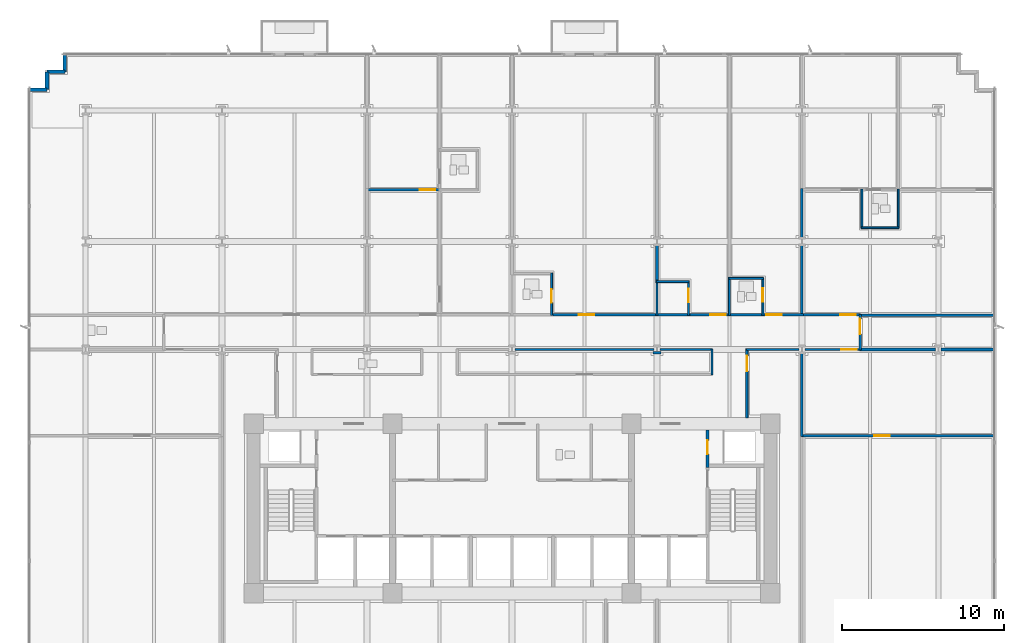
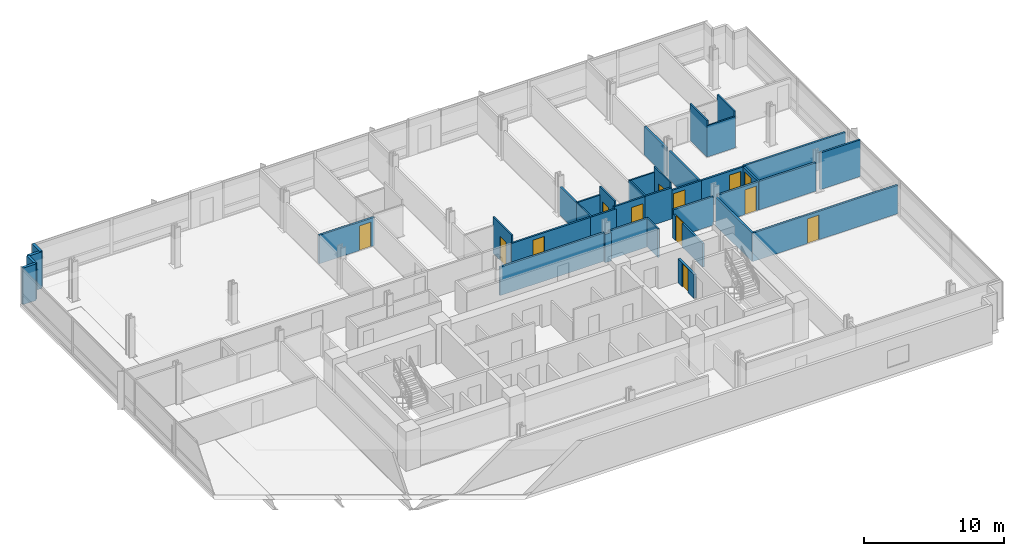
# One storey, part 10 of 17: 38 walls, 13 doors, 13 openings.
"""IFC4 building model written with IfcOpenShell, lengths in metres."""

import ifcopenshell
import ifcopenshell.guid

model = None  # the IFC model being written
_history = None  # IfcOwnerHistory: only IFC2X3 demands one
_inside = {}  # id of a spatial element -> (the spatial element, [elements in it])
_under = {}  # id of a project, library or spatial element -> (it, [spatial elements below it])
_declared = {}  # id of a project -> (the project, [libraries it declares])
_typed = {}  # id of a type object -> (the type object, [elements of that type])
_made_of = {}  # id of a material, layer set ... -> (it, [elements and type objects made of it])


def new_model(schema):
    """Start an empty IFC model of exactly this schema.

    Asked for "IFC4X3", IfcOpenShell would pick the latest addendum, in which some entities
    have other attributes; the version numbers below select the first issue.
    IFC2X3 requires an IfcOwnerHistory on every rooted entity: one is made here for all.
    """
    global model, _history
    if schema == "IFC4X3":
        model = ifcopenshell.file(schema_version=(4, 3, 0, 0))
    else:
        model = ifcopenshell.file(schema=schema)
    _inside.clear()
    _under.clear()
    _declared.clear()
    _typed.clear()
    _made_of.clear()
    _history = None
    if model.schema == "IFC2X3":
        org = make("IfcOrganization", Name="unknown")
        user = make(
            "IfcPersonAndOrganization",
            ThePerson=make("IfcPerson", FamilyName="unknown"),
            TheOrganization=org,
        )
        app = make(
            "IfcApplication",
            ApplicationDeveloper=org,
            Version="unknown",
            ApplicationFullName="unknown",
            ApplicationIdentifier="unknown",
        )
        _history = make(
            "IfcOwnerHistory",
            OwningUser=user,
            OwningApplication=app,
            ChangeAction="ADDED",
            CreationDate=0,
        )
    return model


def make(cls, **values):
    """One entity of the class cls with the attributes given. An attribute that is None is left unset."""
    return model.create_entity(
        cls, **{name: value for name, value in values.items() if value is not None}
    )


def rooted(cls, **values):
    """An entity with a GlobalId (a new one), such as an element, a storey or a relation."""
    return make(cls, GlobalId=ifcopenshell.guid.new(), OwnerHistory=_history, **values)


def si_unit(unit_type, name, prefix=None):
    """IfcSIUnit, for example si_unit("LENGTHUNIT", "METRE", prefix="MILLI")."""
    return make("IfcSIUnit", UnitType=unit_type, Prefix=prefix, Name=name)


def assignment(units):
    """IfcUnitAssignment: the units of a project."""
    return None if units is None else make("IfcUnitAssignment", Units=units)


def point(xyz):
    """IfcCartesianPoint."""
    return None if xyz is None else make("IfcCartesianPoint", Coordinates=xyz)


def direction(xyz):
    """IfcDirection."""
    return None if xyz is None else make("IfcDirection", DirectionRatios=xyz)


def frame(location, z_axis=None, x_axis=None):
    """IfcAxis2Placement3D, a coordinate frame: its origin and axes. An axis left out is left unset."""
    return make(
        "IfcAxis2Placement3D",
        Location=point(location),
        Axis=direction(z_axis),
        RefDirection=direction(x_axis),
    )


def frame_2d(location, x_axis=None):
    """IfcAxis2Placement2D, a coordinate frame in the plane: its origin and x axis."""
    return make(
        "IfcAxis2Placement2D", Location=point(location), RefDirection=direction(x_axis)
    )


def origin():
    """The frame at (0, 0, 0) with its axes left unset."""
    return frame((0.0, 0.0, 0.0))


def place(relative_to, where):
    """IfcLocalPlacement: puts the frame where relative to a parent placement (None: the world)."""
    return make(
        "IfcLocalPlacement", PlacementRelTo=relative_to, RelativePlacement=where
    )


def context(
    kind, dimensions, precision=None, world=None, true_north=None, identifier=None
):
    """IfcGeometricRepresentationContext, for example the 3D "Model" context."""
    return make(
        "IfcGeometricRepresentationContext",
        ContextIdentifier=identifier,
        ContextType=kind,
        CoordinateSpaceDimension=dimensions,
        Precision=precision,
        WorldCoordinateSystem=world,
        TrueNorth=true_north,
    )


def subcontext(parent, identifier, kind, view, scale=None):
    """IfcGeometricRepresentationSubContext, for example "Body" below "Model"."""
    return make(
        "IfcGeometricRepresentationSubContext",
        ContextIdentifier=identifier,
        ContextType=kind,
        ParentContext=parent,
        TargetScale=scale,
        TargetView=view,
    )


def project(units=None, contexts=None):
    """IfcProject with its units and contexts."""
    return rooted(
        "IfcProject",
        Name="project",
        RepresentationContexts=contexts,
        UnitsInContext=assignment(units),
    )


def spatial(cls, under=None, at=None, **own):
    """A site, building, storey or space (cls), placed at a placement, below another one or the project."""
    s = rooted(cls, ObjectPlacement=at, **own)
    if under is not None:
        _under.setdefault(under.id(), (under, []))[1].append(s)
    return s


def profile(cls, at=None, kind="AREA", **sizes):
    """A parametric profile (cls). Its sizes go by their IFC names, for example OverallWidth=200.0."""
    return make(cls, ProfileType=kind, Position=at, **sizes)


def rectangle(**sizes):
    """IfcRectangleProfileDef."""
    return profile("IfcRectangleProfileDef", **sizes)


def extrude(swept, where, along, depth):
    """IfcExtrudedAreaSolid: the profile swept, set in the frame where, extruded along a direction by depth."""
    return make(
        "IfcExtrudedAreaSolid",
        SweptArea=swept,
        Position=where,
        ExtrudedDirection=direction(along),
        Depth=depth,
    )


def shape(context_of_items, identifier, shape_type, items):
    """IfcShapeRepresentation: the items that make up one representation, for example the "Body"."""
    return make(
        "IfcShapeRepresentation",
        ContextOfItems=context_of_items,
        RepresentationIdentifier=identifier,
        RepresentationType=shape_type,
        Items=items,
    )


def material(Name=None, Category=None):
    """IfcMaterial."""
    return make("IfcMaterial", Name=Name, Category=Category)


def layer(
    of_material, thickness, ventilated=None, Name=None, Category=None, Priority=None
):
    """IfcMaterialLayer: one layer of a wall or slab, of a material (None: an air gap)."""
    return make(
        "IfcMaterialLayer",
        Material=of_material,
        LayerThickness=thickness,
        IsVentilated=ventilated,
        Name=Name,
        Category=Category,
        Priority=Priority,
    )


def layer_set(layers, Name=None):
    """IfcMaterialLayerSet."""
    return make("IfcMaterialLayerSet", MaterialLayers=layers, LayerSetName=Name)


def made_of(thing, what):
    """Note that an element or type object is made of a material, layer set ...; save() writes the relation."""
    if what is not None:
        _made_of.setdefault(what.id(), (what, []))[1].append(thing)
    return thing


def type_object(cls, material=None, **own):
    """A type object (cls), such as IfcWallType, which elements share."""
    return made_of(rooted(cls, **own), material)


def element(
    cls,
    number,
    at=None,
    inside=None,
    cuts=None,
    type_object=None,
    material=None,
    context=None,
    identifier="Body",
    shape_type=None,
    held_by="IfcProductDefinitionShape",
    body=None,
    shapes=None,
    **own,
):
    """One element of the class cls, such as IfcWall. Its Tag is "e" and its number.

    at: its placement. inside: the storey or other place that contains it. cuts: it is an
    opening in that element (IfcRelVoidsElement). A single representation is given by context,
    identifier, shape_type and body (its items); several are given by shapes. held_by: the class
    of the entity that holds the representations. save() writes the other relations.
    """
    e = rooted(cls, Tag="e%d" % number, ObjectPlacement=at, **own)
    if body is not None:
        shapes = [shape(context, identifier, shape_type, body)]
    if shapes is not None:
        e.Representation = make(held_by, Representations=shapes)
    if inside is not None:
        _inside.setdefault(inside.id(), (inside, []))[1].append(e)
    if cuts is not None:
        rooted(
            "IfcRelVoidsElement", RelatingBuildingElement=cuts, RelatedOpeningElement=e
        )
    if type_object is not None:
        _typed.setdefault(type_object.id(), (type_object, []))[1].append(e)
    return made_of(e, material)


def fill(opening, filler):
    """IfcRelFillsElement: the door or window that sits in an opening."""
    return rooted(
        "IfcRelFillsElement",
        RelatingOpeningElement=opening,
        RelatedBuildingElement=filler,
    )


def aggregate(whole, parts):
    """IfcRelAggregates: a whole, such as a stair, and the parts it consists of."""
    return rooted("IfcRelAggregates", RelatingObject=whole, RelatedObjects=parts)


def save(model, path):
    """Write the relations noted so far, then the file.

    IfcRelAggregates (storeys below a building ...), IfcRelContainedInSpatialStructure (elements
    in a storey), IfcRelDefinesByType, IfcRelAssociatesMaterial and IfcRelDeclares: one each for
    every whole, place, type object, material and project.
    """
    for whole, parts in _under.values():
        aggregate(whole, parts)
    for where, things in _inside.values():
        rooted(
            "IfcRelContainedInSpatialStructure",
            RelatedElements=things,
            RelatingStructure=where,
        )
    for kind, things in _typed.values():
        rooted("IfcRelDefinesByType", RelatedObjects=things, RelatingType=kind)
    for what, things in _made_of.values():
        rooted("IfcRelAssociatesMaterial", RelatedObjects=things, RelatingMaterial=what)
    for by, libraries in _declared.values():
        rooted("IfcRelDeclares", RelatingContext=by, RelatedDefinitions=libraries)
    model.write(path)


model = new_model("IFC4")

# Units and contexts
model_context = context("Model", 3, precision=1e-05, world=origin(), true_north=direction((0.0, 1.0)))
body_context = subcontext(model_context, "Body", "Model", "MODEL_VIEW")
ifc_project = project(units=[si_unit("LENGTHUNIT", "METRE"), si_unit("AREAUNIT", "SQUARE_METRE"), si_unit("VOLUMEUNIT", "CUBIC_METRE"), si_unit("PLANEANGLEUNIT", "RADIAN"), si_unit("MASSUNIT", "GRAM", prefix="KILO")], contexts=[model_context])

# Site, building, storey
site_placement = place(None, origin())
site = spatial("IfcSite", under=ifc_project, at=site_placement, CompositionType="ELEMENT")
building_placement = place(site_placement, origin())
building = spatial("IfcBuilding", under=site, at=building_placement, Name="Solmavex Isthmus Hotel", CompositionType="ELEMENT")
storey_placement = place(building_placement, frame((0.0, 0.0, 40.199951171875)))
storey = spatial("IfcBuildingStorey", under=building, at=storey_placement, Name="L10", CompositionType="ELEMENT", Elevation=40.199951171875)

# Walls
ifc_material_1 = material(Name="Precast Concrete C40/50", Category="concrete")
ifc_layer_1 = layer(ifc_material_1, 0.25)
ifc_layer_set_1 = layer_set([ifc_layer_1], Name="Precast Concrete C40/50")
wall_type_1 = type_object("IfcWallType", Name="EW-TWR-250", PredefinedType="STANDARD", material=ifc_layer_set_1)
wall_1_placement = place(storey_placement, frame((-29.889892578125, 18.18994140625, 0.0), z_axis=(0.0, 0.0, 1.0), x_axis=(1.0, 0.0, 0.0)))
element("IfcWall", 1, at=wall_1_placement, inside=storey, type_object=wall_type_1, Name="Serrated Corner Facade Panel L10-06", PredefinedType="STANDARD", context=body_context, shape_type="SweptSolid", body=[
    extrude(rectangle(XDim=1.099853515625, YDim=0.219970703125, at=frame_2d((0.5498046875, 0.0))), origin(), (0.0, 0.0, 1.0), 3.18994140625),
])
for number, where, z_axis, x_axis, name in (
    (2, (-28.7900390625, 18.18994140625, 0.0), (0.0, 0.0, 1.0), (0.0, 1.0, 0.0), "Serrated Corner Facade Panel L10-07"),
    (3, (-28.7900390625, 19.2900390625, 0.0), (0.0, 0.0, 1.0), (1.0, 0.0, 0.0), "Serrated Corner Facade Panel L10-08"),
):
    element("IfcWall", number, at=place(storey_placement, frame(where, z_axis=z_axis, x_axis=x_axis)), inside=storey, type_object=wall_type_1, Name=name, PredefinedType="STANDARD", context=body_context, shape_type="SweptSolid", body=[
        extrude(rectangle(XDim=1.10009765625, YDim=0.219970703125, at=frame_2d((0.550048828125, 0.0))), origin(), (0.0, 0.0, 1.0), 3.18994140625),
    ])
wall_2_placement = place(storey_placement, frame((-27.68994140625, 19.2900390625, 0.0), z_axis=(0.0, 0.0, 1.0), x_axis=(0.0, 1.0, 0.0)))
element("IfcWall", 4, at=wall_2_placement, inside=storey, type_object=wall_type_1, Name="Serrated Corner Facade Panel L10-09", PredefinedType="STANDARD", context=body_context, shape_type="SweptSolid", body=[
    extrude(rectangle(XDim=1.099853515625, YDim=0.219970703125, at=frame_2d((0.5498046875, 0.0))), origin(), (0.0, 0.0, 1.0), 3.18994140625),
])

# Wall, opening, door
ifc_material_2 = material(Name="Gypsum plasterboard lining", Category="gypsum")
ifc_layer_2 = layer(ifc_material_2, 0.159912109375)
ifc_layer_set_2 = layer_set([ifc_layer_2], Name="Gypsum plasterboard lining")
wall_type_2 = type_object("IfcWallType", Name="IW-COMP-160", PredefinedType="PARTITIONING", material=ifc_layer_set_2)
wall_3_placement = place(storey_placement, frame((-9.01611328125, 11.988037109375, 0.0), z_axis=(0.0, 0.0, 1.0), x_axis=(1.0, 0.0, 0.0)))
wall_3 = element("IfcWall", 5, at=wall_3_placement, inside=storey, type_object=wall_type_2, Name="Interior Partition Wall W-L10-P038", PredefinedType="PARTITIONING", context=body_context, shape_type="SweptSolid", body=[
    extrude(rectangle(XDim=4.568115234375, YDim=0.159912109375, at=frame_2d((2.2841796875, 0.0))), origin(), (0.0, 0.0, 1.0), 2.4794921875),
])
opening_1_placement = place(wall_3_placement, frame((3.31689453125, 0.0, 0.0)))
opening_1 = element("IfcOpeningElement", 6, at=opening_1_placement, cuts=wall_3, Name="Opening ID-C095", PredefinedType="OPENING", context=body_context, shape_type="SweptSolid", body=[
    extrude(rectangle(XDim=0.949951171875, YDim=2.14990234375, at=frame_2d((0.47509765625, 1.074951171875))), frame((0.0, 0.08984375, 0.0), z_axis=(0.0, -1.0, 0.0), x_axis=(1.0, 0.0, 0.0)), (0.0, 0.0, 1.0), 0.179931640625),
])
ifc_material_3 = material(Name="Hardwood timber", Category="wood")
door_type_1 = type_object("IfcDoorType", Name="IDR-FD60-0950", OperationType="NOTDEFINED", PredefinedType="DOOR", material=ifc_material_3)
door_1_placement = place(opening_1_placement, origin())
door_1 = element("IfcDoor", 7, at=door_1_placement, inside=storey, type_object=door_type_1, Name="Premier Suite Master Bedroom Door L10-03", OperationType="SINGLE_SWING_LEFT", OverallHeight=2.14990234375, OverallWidth=0.949951171875, PredefinedType="DOOR", context=body_context, shape_type="SweptSolid", body=[
    extrude(rectangle(XDim=0.949951171875, YDim=2.14990234375, at=frame_2d((0.47509765625, 1.074951171875))), frame((0.0, 0.02490234375, 0.0), z_axis=(0.0, -1.0, 0.0), x_axis=(1.0, 0.0, 0.0)), (0.0, 0.0, 1.0), 0.050048828125),
])
fill(opening_1, door_1)

# Walls
wall_4_placement = place(storey_placement, frame((8.97607421875, 8.613037109375, 0.0), z_axis=(0.0, 0.0, 1.0), x_axis=(0.0, -1.0, 0.0)))
element("IfcWall", 8, at=wall_4_placement, inside=storey, type_object=wall_type_2, Name="Interior Partition Wall W-L10-P051", PredefinedType="PARTITIONING", context=body_context, shape_type="SweptSolid", body=[
    extrude(rectangle(XDim=2.39501953125, YDim=0.159912109375, at=frame_2d((1.197509765625, 0.0))), origin(), (0.0, 0.0, 1.0), 2.4794921875),
])
wall_5_placement = place(storey_placement, frame((17.951904296875, 8.613037109375, 0.0), z_axis=(0.0, 0.0, 1.0), x_axis=(0.0, -1.0, 0.0)))
element("IfcWall", 9, at=wall_5_placement, inside=storey, type_object=wall_type_2, Name="Interior Partition Wall W-L10-P061", PredefinedType="PARTITIONING", context=body_context, shape_type="SweptSolid", body=[
    extrude(rectangle(XDim=4.403076171875, YDim=0.159912109375, at=frame_2d((2.20166015625, 0.0))), origin(), (0.0, 0.0, 1.0), 2.4794921875),
])
wall_6_placement = place(storey_placement, frame((17.951904296875, 12.070068359375, 0.0), z_axis=(0.0, 0.0, 1.0), x_axis=(0.0, -1.0, 0.0)))
element("IfcWall", 10, at=wall_6_placement, inside=storey, type_object=wall_type_2, Name="Interior Partition Wall W-L10-P062", PredefinedType="PARTITIONING", context=body_context, shape_type="SweptSolid", body=[
    extrude(rectangle(XDim=3.107177734375, YDim=0.159912109375, at=frame_2d((1.5537109375, 0.0))), origin(), (0.0, 0.0, 1.0), 2.4794921875),
])
wall_7_placement = place(storey_placement, frame((29.919921875, 4.22998046875, 0.0), z_axis=(0.0, 0.0, 1.0), x_axis=(-1.0, 0.0, 0.0)))
element("IfcWall", 11, at=wall_7_placement, inside=storey, type_object=wall_type_2, Name="Interior Partition Wall W-L10-P070", PredefinedType="PARTITIONING", context=body_context, shape_type="SweptSolid", body=[
    extrude(rectangle(XDim=8.407958984375, YDim=0.159912109375, at=frame_2d((4.2041015625, 0.0))), origin(), (0.0, 0.0, 1.0), 2.55322265625),
])
wall_8_placement = place(storey_placement, frame((26.22509765625, 2.10009765625, 0.0), z_axis=(0.0, 0.0, 1.0), x_axis=(-1.0, 0.0, 0.0)))
element("IfcWall", 12, at=wall_8_placement, inside=storey, type_object=wall_type_2, Name="Interior Partition Wall W-L10-P075", PredefinedType="PARTITIONING", context=body_context, shape_type="SweptSolid", body=[
    extrude(rectangle(XDim=4.713134765625, YDim=0.159912109375, at=frame_2d((2.3564453125, 0.0))), origin(), (0.0, 0.0, 1.0), 2.4794921875),
])
wall_9_placement = place(storey_placement, frame((29.919921875, 2.10009765625, 0.0), z_axis=(0.0, 0.0, 1.0), x_axis=(-1.0, 0.0, 0.0)))
element("IfcWall", 13, at=wall_9_placement, inside=storey, type_object=wall_type_2, Name="Interior Partition Wall W-L10-P076", PredefinedType="PARTITIONING", context=body_context, shape_type="SweptSolid", body=[
    extrude(rectangle(XDim=3.344970703125, YDim=0.159912109375, at=frame_2d((1.67236328125, 0.0))), origin(), (0.0, 0.0, 1.0), 3.18994140625),
])
wall_10_placement = place(storey_placement, frame((17.951904296875, -3.2900390625, 0.0), z_axis=(0.0, 0.0, 1.0), x_axis=(0.0, 1.0, 0.0)))
element("IfcWall", 14, at=wall_10_placement, inside=storey, type_object=wall_type_2, Name="Interior Partition Wall W-L10-P079", PredefinedType="PARTITIONING", context=body_context, shape_type="SweptSolid", body=[
    extrude(rectangle(XDim=5.215087890625, YDim=0.159912109375, at=frame_2d((2.607421875, 0.0))), origin(), (0.0, 0.0, 1.0), 2.4794921875),
])

# Wall, opening, door
wall_11_placement = place(storey_placement, frame((29.919921875, -3.25, 0.0), z_axis=(0.0, 0.0, 1.0), x_axis=(-1.0, 0.0, 0.0)))
wall_11 = element("IfcWall", 15, at=wall_11_placement, inside=storey, type_object=wall_type_2, Name="Interior Partition Wall W-L10-P080", PredefinedType="PARTITIONING", context=body_context, shape_type="SweptSolid", body=[
    extrude(rectangle(XDim=12.0078125, YDim=0.159912109375, at=frame_2d((6.00390625, 0.0))), origin(), (0.0, 0.0, 1.0), 2.4794921875),
])
opening_2_placement = place(wall_11_placement, frame((6.531005859375, 0.0, 0.0)))
opening_2 = element("IfcOpeningElement", 16, at=opening_2_placement, cuts=wall_11, Name="Opening ID-C095", PredefinedType="OPENING", context=body_context, shape_type="SweptSolid", body=[
    extrude(rectangle(XDim=0.949951171875, YDim=2.14990234375, at=frame_2d((0.47509765625, 1.074951171875))), frame((0.0, 0.08984375, 0.0), z_axis=(0.0, -1.0, 0.0), x_axis=(1.0, 0.0, 0.0)), (0.0, 0.0, 1.0), 0.179931640625),
])
door_2_placement = place(opening_2_placement, origin())
door_2 = element("IfcDoor", 17, at=door_2_placement, inside=storey, type_object=door_type_1, Name="Corporate Briefing Office Door L10-26", OperationType="SINGLE_SWING_RIGHT", OverallHeight=2.14990234375, OverallWidth=0.949951171875, PredefinedType="DOOR", context=body_context, shape_type="SweptSolid", body=[
    extrude(rectangle(XDim=0.949951171875, YDim=2.14990234375, at=frame_2d((0.47509765625, 1.074951171875))), frame((0.0, 0.02490234375, 0.0), z_axis=(0.0, -1.0, 0.0), x_axis=(1.0, 0.0, 0.0)), (0.0, 0.0, 1.0), 0.050048828125),
])
fill(opening_2, door_2)

ifc_layer_3 = layer(ifc_material_2, 0.14990234375)
ifc_layer_set_3 = layer_set([ifc_layer_3], Name="Gypsum plasterboard lining")
wall_type_3 = type_object("IfcWallType", Name="IW-CORR-150", PredefinedType="PARTITIONING", material=ifc_layer_set_3)
wall_12_placement = place(storey_placement, frame((2.367919921875, 4.25, 0.0), z_axis=(0.0, 0.0, 1.0), x_axis=(1.0, 0.0, 0.0)))
wall_12 = element("IfcWall", 18, at=wall_12_placement, inside=storey, type_object=wall_type_3, Name="Interior Partition Wall W-L10-P004", PredefinedType="PARTITIONING", context=body_context, shape_type="SweptSolid", body=[
    extrude(rectangle(XDim=6.690185546875, YDim=0.14990234375, at=frame_2d((3.34521484375, 0.0))), origin(), (0.0, 0.0, 1.0), 2.4794921875),
])
opening_3_placement = place(wall_12_placement, frame((1.759521484375, 0.0, 0.0)))
opening_3 = element("IfcOpeningElement", 19, at=opening_3_placement, cuts=wall_12, Name="Opening ID-C095", PredefinedType="OPENING", context=body_context, shape_type="SweptSolid", body=[
    extrude(rectangle(XDim=0.949951171875, YDim=2.14990234375, at=frame_2d((0.47509765625, 1.074951171875))), frame((0.0, 0.0849609375, 0.0), z_axis=(0.0, -1.0, 0.0), x_axis=(1.0, 0.0, 0.0)), (0.0, 0.0, 1.0), 0.169921875),
])
door_3_placement = place(opening_3_placement, origin())
door_3 = element("IfcDoor", 20, at=door_3_placement, inside=storey, type_object=door_type_1, Name="Premier Suite Door L10-06", OperationType="SINGLE_SWING_RIGHT", OverallHeight=2.14990234375, OverallWidth=0.949951171875, PredefinedType="DOOR", context=body_context, shape_type="SweptSolid", body=[
    extrude(rectangle(XDim=0.949951171875, YDim=2.14990234375, at=frame_2d((0.47509765625, 1.074951171875))), frame((0.0, 0.02490234375, 0.0), z_axis=(0.0, -1.0, 0.0), x_axis=(1.0, 0.0, 0.0)), (0.0, 0.0, 1.0), 0.050048828125),
])
fill(opening_3, door_3)

wall_13_placement = place(storey_placement, frame((10.843994140625, 4.25, 0.0), z_axis=(0.0, 0.0, 1.0), x_axis=(1.0, 0.0, 0.0)))
wall_13 = element("IfcWall", 21, at=wall_13_placement, inside=storey, type_object=wall_type_3, Name="Interior Partition Wall W-L10-P006", PredefinedType="PARTITIONING", context=body_context, shape_type="SweptSolid", body=[
    extrude(rectangle(XDim=2.701904296875, YDim=0.14990234375, at=frame_2d((1.35107421875, 0.0))), origin(), (0.0, 0.0, 1.0), 2.71826171875),
])
opening_4_placement = place(wall_13_placement, frame((1.426513671875, 0.0, 0.0)))
opening_4 = element("IfcOpeningElement", 22, at=opening_4_placement, cuts=wall_13, Name="Opening ID-C095", PredefinedType="OPENING", context=body_context, shape_type="SweptSolid", body=[
    extrude(rectangle(XDim=0.949951171875, YDim=2.14990234375, at=frame_2d((0.47509765625, 1.074951171875))), frame((0.0, 0.0849609375, 0.0), z_axis=(0.0, -1.0, 0.0), x_axis=(1.0, 0.0, 0.0)), (0.0, 0.0, 1.0), 0.169921875),
])
door_4_placement = place(opening_4_placement, origin())
door_4 = element("IfcDoor", 23, at=door_4_placement, inside=storey, type_object=door_type_1, Name="Deluxe Guest Room Door L10-08", OperationType="SINGLE_SWING_RIGHT", OverallHeight=2.14990234375, OverallWidth=0.949951171875, PredefinedType="DOOR", context=body_context, shape_type="SweptSolid", body=[
    extrude(rectangle(XDim=0.949951171875, YDim=2.14990234375, at=frame_2d((0.47509765625, 1.074951171875))), frame((0.0, 0.02490234375, 0.0), z_axis=(0.0, -1.0, 0.0), x_axis=(1.0, 0.0, 0.0)), (0.0, 0.0, 1.0), 0.050048828125),
])
fill(opening_4, door_4)

# Wall
wall_14_placement = place(storey_placement, frame((8.89404296875, 4.25, 0.0), z_axis=(0.0, 0.0, 1.0), x_axis=(1.0, 0.0, 0.0)))
element("IfcWall", 24, at=wall_14_placement, inside=storey, type_object=wall_type_3, Name="Interior Partition Wall W-L10-P007", PredefinedType="PARTITIONING", context=body_context, shape_type="SweptSolid", body=[
    extrude(rectangle(XDim=2.114013671875, YDim=0.14990234375, at=frame_2d((1.05712890625, 0.0))), origin(), (0.0, 0.0, 1.0), 2.4794921875),
])

# Wall, opening, door
wall_15_placement = place(storey_placement, frame((15.446533203125, 4.25, 0.0), z_axis=(0.0, 0.0, 1.0), x_axis=(1.0, 0.0, 0.0)))
wall_15 = element("IfcWall", 25, at=wall_15_placement, inside=storey, type_object=wall_type_3, Name="Interior Partition Wall W-L10-P008", PredefinedType="PARTITIONING", context=body_context, shape_type="SweptSolid", body=[
    extrude(rectangle(XDim=2.58740234375, YDim=0.14990234375, at=frame_2d((1.293701171875, 0.0))), origin(), (0.0, 0.0, 1.0), 2.4794921875),
])
opening_5_placement = place(wall_15_placement, frame((0.292236328125, 0.0, 0.0)))
opening_5 = element("IfcOpeningElement", 26, at=opening_5_placement, cuts=wall_15, Name="Opening ID-C095", PredefinedType="OPENING", context=body_context, shape_type="SweptSolid", body=[
    extrude(rectangle(XDim=0.949951171875, YDim=2.14990234375, at=frame_2d((0.47509765625, 1.074951171875))), frame((0.0, 0.0849609375, 0.0), z_axis=(0.0, -1.0, 0.0), x_axis=(1.0, 0.0, 0.0)), (0.0, 0.0, 1.0), 0.169921875),
])
door_5_placement = place(opening_5_placement, origin())
door_5 = element("IfcDoor", 27, at=door_5_placement, inside=storey, type_object=door_type_1, Name="Superior King Room Door L10-10", OperationType="SINGLE_SWING_RIGHT", OverallHeight=2.14990234375, OverallWidth=0.949951171875, PredefinedType="DOOR", context=body_context, shape_type="SweptSolid", body=[
    extrude(rectangle(XDim=0.949951171875, YDim=2.14990234375, at=frame_2d((0.47509765625, 1.074951171875))), frame((0.0, 0.02490234375, 0.0), z_axis=(0.0, -1.0, 0.0), x_axis=(1.0, 0.0, 0.0)), (0.0, 0.0, 1.0), 0.050048828125),
])
fill(opening_5, door_5)

# Wall
wall_16_placement = place(storey_placement, frame((13.382080078125, 4.25, 0.0), z_axis=(0.0, 0.0, 1.0), x_axis=(1.0, 0.0, 0.0)))
element("IfcWall", 28, at=wall_16_placement, inside=storey, type_object=wall_type_3, Name="Interior Partition Wall W-L10-P009", PredefinedType="PARTITIONING", context=body_context, shape_type="SweptSolid", body=[
    extrude(rectangle(XDim=2.228515625, YDim=0.14990234375, at=frame_2d((1.1142578125, 0.0))), origin(), (0.0, 0.0, 1.0), 2.71826171875),
])

# Wall, opening, door
wall_17_placement = place(storey_placement, frame((17.8701171875, 4.25, 0.0), z_axis=(0.0, 0.0, 1.0), x_axis=(1.0, 0.0, 0.0)))
wall_17 = element("IfcWall", 29, at=wall_17_placement, inside=storey, type_object=wall_type_3, Name="Interior Partition Wall W-L10-P010", PredefinedType="PARTITIONING", context=body_context, shape_type="SweptSolid", body=[
    extrude(rectangle(XDim=3.721923828125, YDim=0.14990234375, at=frame_2d((1.86083984375, 0.0))), origin(), (0.0, 0.0, 1.0), 2.4794921875),
])
opening_6_placement = place(wall_17_placement, frame((2.456787109375, 0.0, 0.0)))
opening_6 = element("IfcOpeningElement", 30, at=opening_6_placement, cuts=wall_17, Name="Opening ID-C095", PredefinedType="OPENING", context=body_context, shape_type="SweptSolid", body=[
    extrude(rectangle(XDim=0.949951171875, YDim=2.14990234375, at=frame_2d((0.47509765625, 1.074951171875))), frame((0.0, 0.0849609375, 0.0), z_axis=(0.0, -1.0, 0.0), x_axis=(1.0, 0.0, 0.0)), (0.0, 0.0, 1.0), 0.169921875),
])
door_6_placement = place(opening_6_placement, origin())
door_6 = element("IfcDoor", 31, at=door_6_placement, inside=storey, type_object=door_type_1, Name="Corner Diplomatic Suite Reception Foyer Door L10-12", OperationType="SINGLE_SWING_RIGHT", OverallHeight=2.14990234375, OverallWidth=0.949951171875, PredefinedType="DOOR", context=body_context, shape_type="SweptSolid", body=[
    extrude(rectangle(XDim=0.949951171875, YDim=2.14990234375, at=frame_2d((0.47509765625, 1.074951171875))), frame((0.0, 0.02490234375, 0.0), z_axis=(0.0, -1.0, 0.0), x_axis=(1.0, 0.0, 0.0)), (0.0, 0.0, 1.0), 0.050048828125),
])
fill(opening_6, door_6)

wall_18_placement = place(storey_placement, frame((21.552001953125, 4.27001953125, 0.0), z_axis=(0.0, 0.0, 1.0), x_axis=(0.0, -1.0, 0.0)))
wall_18 = element("IfcWall", 32, at=wall_18_placement, inside=storey, type_object=wall_type_3, Name="Interior Partition Wall W-L10-P018", PredefinedType="PARTITIONING", context=body_context, shape_type="SweptSolid", body=[
    extrude(rectangle(XDim=2.2099609375, YDim=0.14990234375, at=frame_2d((1.10498046875, 0.0))), origin(), (0.0, 0.0, 1.0), 2.4794921875),
])
opening_7_placement = place(wall_18_placement, frame((0.272216796875, 0.0, 0.0)))
opening_7 = element("IfcOpeningElement", 33, at=opening_7_placement, cuts=wall_18, Name="Opening ID-C095", PredefinedType="OPENING", context=body_context, shape_type="SweptSolid", body=[
    extrude(rectangle(XDim=0.949951171875, YDim=2.14990234375, at=frame_2d((0.47509765625, 1.074951171875))), frame((0.0, 0.0849609375, 0.0), z_axis=(0.0, -1.0, 0.0), x_axis=(1.0, 0.0, 0.0)), (0.0, 0.0, 1.0), 0.169921875),
])
door_7_placement = place(opening_7_placement, origin())
door_7 = element("IfcDoor", 34, at=door_7_placement, inside=storey, type_object=door_type_1, Name="Hospitality Tea Kitchen Door L10-18", OperationType="SINGLE_SWING_RIGHT", OverallHeight=2.14990234375, OverallWidth=0.949951171875, PredefinedType="DOOR", context=body_context, shape_type="SweptSolid", body=[
    extrude(rectangle(XDim=0.949951171875, YDim=2.14990234375, at=frame_2d((0.47509765625, 1.074951171875))), frame((0.0, 0.02490234375, 0.0), z_axis=(0.0, -1.0, 0.0), x_axis=(1.0, 0.0, 0.0)), (0.0, 0.0, 1.0), 0.050048828125),
])
fill(opening_7, door_7)

# Walls
wall_19_placement = place(storey_placement, frame((12.384033203125, 0.510009765625, 0.0), z_axis=(0.0, 0.0, 1.0), x_axis=(0.0, 1.0, 0.0)))
element("IfcWall", 35, at=wall_19_placement, inside=storey, type_object=wall_type_3, Name="Interior Partition Wall W-L10-P023", PredefinedType="PARTITIONING", context=body_context, shape_type="SweptSolid", body=[
    extrude(rectangle(XDim=1.6298828125, YDim=0.14990234375, at=frame_2d((0.81494140625, 0.0))), origin(), (0.0, 0.0, 1.0), 2.4794921875),
])
wall_20_placement = place(storey_placement, frame((12.424072265625, 2.10009765625, 0.0), z_axis=(0.0, 0.0, 1.0), x_axis=(-1.0, 0.0, 0.0)))
element("IfcWall", 36, at=wall_20_placement, inside=storey, type_object=wall_type_3, Name="Interior Partition Wall W-L10-P024", PredefinedType="PARTITIONING", context=body_context, shape_type="SweptSolid", body=[
    extrude(rectangle(XDim=3.273193359375, YDim=0.14990234375, at=frame_2d((1.63671875, 0.0))), origin(), (0.0, 0.0, 1.0), 2.4794921875),
])
wall_21_placement = place(storey_placement, frame((9.23095703125, 1.885009765625, 0.0), z_axis=(0.0, 0.0, 1.0), x_axis=(-1.0, 0.0, 0.0)))
element("IfcWall", 37, at=wall_21_placement, inside=storey, type_object=wall_type_3, Name="Interior Partition Wall W-L10-P025", PredefinedType="PARTITIONING", context=body_context, shape_type="SweptSolid", body=[
    extrude(rectangle(XDim=0.510009765625, YDim=0.14990234375, at=frame_2d((0.2548828125, 0.0))), origin(), (0.0, 0.0, 1.0), 2.4794921875),
])
wall_22_placement = place(storey_placement, frame((8.801025390625, 2.10009765625, 0.0), z_axis=(0.0, 0.0, 1.0), x_axis=(-1.0, 0.0, 0.0)))
element("IfcWall", 38, at=wall_22_placement, inside=storey, type_object=wall_type_3, Name="Interior Partition Wall W-L10-P026", PredefinedType="PARTITIONING", context=body_context, shape_type="SweptSolid", body=[
    extrude(rectangle(XDim=8.6259765625, YDim=0.14990234375, at=frame_2d((4.31298828125, 0.0))), origin(), (0.0, 0.0, 1.0), 2.4794921875),
])

# Wall, opening, door
wall_23_placement = place(storey_placement, frame((21.592041015625, 2.10009765625, 0.0), z_axis=(0.0, 0.0, 1.0), x_axis=(-1.0, 0.0, 0.0)))
wall_23 = element("IfcWall", 39, at=wall_23_placement, inside=storey, type_object=wall_type_3, Name="Interior Partition Wall W-L10-P028", PredefinedType="PARTITIONING", context=body_context, shape_type="SweptSolid", body=[
    extrude(rectangle(XDim=3.465087890625, YDim=0.14990234375, at=frame_2d((1.732421875, 0.0))), origin(), (0.0, 0.0, 1.0), 2.4794921875),
])
opening_8_placement = place(wall_23_placement, frame((0.26220703125, 0.0, 0.0)))
opening_8 = element("IfcOpeningElement", 40, at=opening_8_placement, cuts=wall_23, Name="Opening ID-C095", PredefinedType="OPENING", context=body_context, shape_type="SweptSolid", body=[
    extrude(rectangle(XDim=0.949951171875, YDim=2.14990234375, at=frame_2d((0.47509765625, 1.074951171875))), frame((0.0, 0.0849609375, 0.0), z_axis=(0.0, -1.0, 0.0), x_axis=(1.0, 0.0, 0.0)), (0.0, 0.0, 1.0), 0.169921875),
])
door_8_placement = place(opening_8_placement, origin())
door_8 = element("IfcDoor", 41, at=door_8_placement, inside=storey, type_object=door_type_1, Name="Seminar Meeting Room Door L10-21", OperationType="SINGLE_SWING_LEFT", OverallHeight=2.14990234375, OverallWidth=0.949951171875, PredefinedType="DOOR", context=body_context, shape_type="SweptSolid", body=[
    extrude(rectangle(XDim=0.949951171875, YDim=2.14990234375, at=frame_2d((0.47509765625, 1.074951171875))), frame((0.0, 0.02490234375, 0.0), z_axis=(0.0, -1.0, 0.0), x_axis=(1.0, 0.0, 0.0)), (0.0, 0.0, 1.0), 0.050048828125),
])
fill(opening_8, door_8)

# Wall
wall_24_placement = place(storey_placement, frame((17.777099609375, 2.10009765625, 0.0), z_axis=(0.0, 0.0, 1.0), x_axis=(-1.0, 0.0, 0.0)))
element("IfcWall", 42, at=wall_24_placement, inside=storey, type_object=wall_type_3, Name="Interior Partition Wall W-L10-P029", PredefinedType="PARTITIONING", context=body_context, shape_type="SweptSolid", body=[
    extrude(rectangle(XDim=3.273193359375, YDim=0.14990234375, at=frame_2d((1.63671875, 0.0))), origin(), (0.0, 0.0, 1.0), 2.4794921875),
])

# Wall, opening, door
wall_25_placement = place(storey_placement, frame((14.5439453125, 2.139892578125, 0.0), z_axis=(0.0, 0.0, 1.0), x_axis=(0.0, -1.0, 0.0)))
wall_25 = element("IfcWall", 43, at=wall_25_placement, inside=storey, type_object=wall_type_3, Name="Interior Partition Wall W-L10-P030", PredefinedType="PARTITIONING", context=body_context, shape_type="SweptSolid", body=[
    extrude(rectangle(XDim=4.27978515625, YDim=0.14990234375, at=frame_2d((2.139892578125, 0.0))), origin(), (0.0, 0.0, 1.0), 2.074951171875),
])
opening_9_placement = place(wall_25_placement, frame((0.43017578125, 0.0, 0.0)))
opening_9 = element("IfcOpeningElement", 44, at=opening_9_placement, cuts=wall_25, Name="Opening ID-C095", PredefinedType="OPENING", context=body_context, shape_type="SweptSolid", body=[
    extrude(rectangle(XDim=0.949951171875, YDim=2.14990234375, at=frame_2d((0.47509765625, 1.074951171875))), frame((0.0, 0.0849609375, 0.0), z_axis=(0.0, -1.0, 0.0), x_axis=(1.0, 0.0, 0.0)), (0.0, 0.0, 1.0), 0.169921875),
])
door_9_placement = place(opening_9_placement, frame((0.949951171875, 0.0, 0.0), z_axis=(0.0, 0.0, 1.0), x_axis=(-1.0, 0.0, 0.0)))
door_9 = element("IfcDoor", 45, at=door_9_placement, inside=storey, type_object=door_type_1, Name="Catering Servery Kitchen Door L10-22", OperationType="SINGLE_SWING_RIGHT", OverallHeight=2.14990234375, OverallWidth=0.949951171875, PredefinedType="DOOR", context=body_context, shape_type="SweptSolid", body=[
    extrude(rectangle(XDim=0.949951171875, YDim=2.14990234375, at=frame_2d((0.47509765625, 1.074951171875))), frame((0.0, 0.02490234375, 0.0), z_axis=(0.0, -1.0, 0.0), x_axis=(1.0, 0.0, 0.0)), (0.0, 0.0, 1.0), 0.050048828125),
])
fill(opening_9, door_9)

ifc_layer_4 = layer(ifc_material_2, 0.1201171875)
ifc_layer_set_4 = layer_set([ifc_layer_4], Name="Gypsum plasterboard lining")
wall_type_4 = type_object("IfcWallType", Name="IW-PART-120", PredefinedType="PARTITIONING", material=ifc_layer_set_4)
wall_26_placement = place(storey_placement, frame((2.449951171875, 4.2099609375, 0.0), z_axis=(0.0, 0.0, 1.0), x_axis=(0.0, 1.0, 0.0)))
wall_26 = element("IfcWall", 46, at=wall_26_placement, inside=storey, type_object=wall_type_4, Name="Interior Partition Wall W-L10-P049", PredefinedType="PARTITIONING", context=body_context, shape_type="SweptSolid", body=[
    extrude(rectangle(XDim=2.630126953125, YDim=0.1201171875, at=frame_2d((1.31494140625, 0.0))), origin(), (0.0, 0.0, 1.0), 3.18994140625),
])
opening_10_placement = place(wall_26_placement, frame((0.782958984375, 0.0, 0.0)))
opening_10 = element("IfcOpeningElement", 47, at=opening_10_placement, cuts=wall_26, Name="Opening ID-U085", PredefinedType="OPENING", context=body_context, shape_type="SweptSolid", body=[
    extrude(rectangle(XDim=0.85009765625, YDim=2.10009765625, at=frame_2d((0.425048828125, 1.050048828125))), frame((0.0, 0.070068359375, 0.0), z_axis=(0.0, -1.0, 0.0), x_axis=(1.0, 0.0, 0.0)), (0.0, 0.0, 1.0), 0.14013671875),
])
door_type_2 = type_object("IfcDoorType", Name="IDR-UNR-0850", OperationType="NOTDEFINED", PredefinedType="DOOR", material=ifc_material_3)
door_10_placement = place(opening_10_placement, frame((0.85009765625, 0.0, 0.0), z_axis=(0.0, 0.0, 1.0), x_axis=(-1.0, 0.0, 0.0)))
door_10 = element("IfcDoor", 48, at=door_10_placement, inside=storey, type_object=door_type_2, Name="En-suite Bathroom Door L10-07", OperationType="SINGLE_SWING_LEFT", OverallHeight=2.10009765625, OverallWidth=0.85009765625, PredefinedType="DOOR", context=body_context, shape_type="SweptSolid", body=[
    extrude(rectangle(XDim=0.85009765625, YDim=2.10009765625, at=frame_2d((0.425048828125, 1.050048828125))), frame((0.0, 0.02490234375, 0.0), z_axis=(0.0, -1.0, 0.0), x_axis=(1.0, 0.0, 0.0)), (0.0, 0.0, 1.0), 0.050048828125),
])
fill(opening_10, door_10)

# Wall
wall_27_placement = place(storey_placement, frame((8.97607421875, 6.382080078125, 0.0), z_axis=(0.0, 0.0, 1.0), x_axis=(0.0, -1.0, 0.0)))
element("IfcWall", 49, at=wall_27_placement, inside=storey, type_object=wall_type_4, Name="Interior Partition Wall W-L10-P054", PredefinedType="PARTITIONING", context=body_context, shape_type="SweptSolid", body=[
    extrude(rectangle(XDim=2.172119140625, YDim=0.1201171875, at=frame_2d((1.0859375, 0.0))), origin(), (0.0, 0.0, 1.0), 2.4794921875),
])

# Wall, opening, door
wall_28_placement = place(storey_placement, frame((10.926025390625, 4.2099609375, 0.0), z_axis=(0.0, 0.0, 1.0), x_axis=(0.0, 1.0, 0.0)))
wall_28 = element("IfcWall", 50, at=wall_28_placement, inside=storey, type_object=wall_type_4, Name="Interior Partition Wall W-L10-P055", PredefinedType="PARTITIONING", context=body_context, shape_type="SweptSolid", body=[
    extrude(rectangle(XDim=2.130126953125, YDim=0.1201171875, at=frame_2d((1.06494140625, 0.0))), origin(), (0.0, 0.0, 1.0), 3.18994140625),
])
opening_11_placement = place(wall_28_placement, frame((0.812255859375, 0.0, 0.0)))
opening_11 = element("IfcOpeningElement", 51, at=opening_11_placement, cuts=wall_28, Name="Opening ID-U085", PredefinedType="OPENING", context=body_context, shape_type="SweptSolid", body=[
    extrude(rectangle(XDim=0.85009765625, YDim=2.10009765625, at=frame_2d((0.425048828125, 1.050048828125))), frame((0.0, 0.070068359375, 0.0), z_axis=(0.0, -1.0, 0.0), x_axis=(1.0, 0.0, 0.0)), (0.0, 0.0, 1.0), 0.14013671875),
])
door_11_placement = place(opening_11_placement, frame((0.85009765625, 0.0, 0.0), z_axis=(0.0, 0.0, 1.0), x_axis=(-1.0, 0.0, 0.0)))
door_11 = element("IfcDoor", 52, at=door_11_placement, inside=storey, type_object=door_type_2, Name="En-suite Bathroom Door L10-09", OperationType="SINGLE_SWING_LEFT", OverallHeight=2.10009765625, OverallWidth=0.85009765625, PredefinedType="DOOR", context=body_context, shape_type="SweptSolid", body=[
    extrude(rectangle(XDim=0.85009765625, YDim=2.10009765625, at=frame_2d((0.425048828125, 1.050048828125))), frame((0.0, 0.02490234375, 0.0), z_axis=(0.0, -1.0, 0.0), x_axis=(1.0, 0.0, 0.0)), (0.0, 0.0, 1.0), 0.050048828125),
])
fill(opening_11, door_11)

# Walls
wall_29_placement = place(storey_placement, frame((10.966064453125, 6.300048828125, 0.0), z_axis=(0.0, 0.0, 1.0), x_axis=(-1.0, 0.0, 0.0)))
element("IfcWall", 53, at=wall_29_placement, inside=storey, type_object=wall_type_4, Name="Interior Partition Wall W-L10-P056", PredefinedType="PARTITIONING", context=body_context, shape_type="SweptSolid", body=[
    extrude(rectangle(XDim=2.030029296875, YDim=0.1201171875, at=frame_2d((1.01513671875, 0.0))), origin(), (0.0, 0.0, 1.0), 2.4794921875),
])
wall_30_placement = place(storey_placement, frame((13.464111328125, 6.58203125, 0.0), z_axis=(0.0, 0.0, 1.0), x_axis=(0.0, -1.0, 0.0)))
element("IfcWall", 54, at=wall_30_placement, inside=storey, type_object=wall_type_4, Name="Interior Partition Wall W-L10-P058", PredefinedType="PARTITIONING", context=body_context, shape_type="SweptSolid", body=[
    extrude(rectangle(XDim=2.3720703125, YDim=0.1201171875, at=frame_2d((1.18603515625, 0.0))), origin(), (0.0, 0.0, 1.0), 2.71826171875),
])

# Wall, opening, door
wall_31_placement = place(storey_placement, frame((15.528564453125, 4.2099609375, 0.0), z_axis=(0.0, 0.0, 1.0), x_axis=(0.0, 1.0, 0.0)))
wall_31 = element("IfcWall", 55, at=wall_31_placement, inside=storey, type_object=wall_type_4, Name="Interior Partition Wall W-L10-P059", PredefinedType="PARTITIONING", context=body_context, shape_type="SweptSolid", body=[
    extrude(rectangle(XDim=2.330078125, YDim=0.1201171875, at=frame_2d((1.1650390625, 0.0))), origin(), (0.0, 0.0, 1.0), 3.18994140625),
])
opening_12_placement = place(wall_31_placement, frame((0.83447265625, 0.0, 0.0)))
opening_12 = element("IfcOpeningElement", 56, at=opening_12_placement, cuts=wall_31, Name="Opening ID-U085", PredefinedType="OPENING", context=body_context, shape_type="SweptSolid", body=[
    extrude(rectangle(XDim=0.85009765625, YDim=2.10009765625, at=frame_2d((0.425048828125, 1.050048828125))), frame((0.0, 0.070068359375, 0.0), z_axis=(0.0, -1.0, 0.0), x_axis=(1.0, 0.0, 0.0)), (0.0, 0.0, 1.0), 0.14013671875),
])
door_12_placement = place(opening_12_placement, origin())
door_12 = element("IfcDoor", 57, at=door_12_placement, inside=storey, type_object=door_type_2, Name="En-suite Bathroom Door L10-11", OperationType="SINGLE_SWING_LEFT", OverallHeight=2.10009765625, OverallWidth=0.85009765625, PredefinedType="DOOR", context=body_context, shape_type="SweptSolid", body=[
    extrude(rectangle(XDim=0.85009765625, YDim=2.10009765625, at=frame_2d((0.425048828125, 1.050048828125))), frame((0.0, 0.02490234375, 0.0), z_axis=(0.0, -1.0, 0.0), x_axis=(1.0, 0.0, 0.0)), (0.0, 0.0, 1.0), 0.050048828125),
])
fill(opening_12, door_12)

# Walls
wall_32_placement = place(storey_placement, frame((15.568359375, 6.5, 0.0), z_axis=(0.0, 0.0, 1.0), x_axis=(-1.0, 0.0, 0.0)))
element("IfcWall", 58, at=wall_32_placement, inside=storey, type_object=wall_type_4, Name="Interior Partition Wall W-L10-P060", PredefinedType="PARTITIONING", context=body_context, shape_type="SweptSolid", body=[
    extrude(rectangle(XDim=2.144287109375, YDim=0.1201171875, at=frame_2d((1.072265625, 0.0))), origin(), (0.0, 0.0, 1.0), 2.71826171875),
])
wall_33_placement = place(storey_placement, frame((21.666015625, 12.028076171875, 0.0), z_axis=(0.0, 0.0, 1.0), x_axis=(0.0, -1.0, 0.0)))
element("IfcWall", 59, at=wall_33_placement, inside=storey, type_object=wall_type_4, Name="Interior Partition Wall W-L10-P067", PredefinedType="PARTITIONING", context=body_context, shape_type="SweptSolid", body=[
    extrude(rectangle(XDim=2.43017578125, YDim=0.1201171875, at=frame_2d((1.215087890625, 0.0))), origin(), (0.0, 0.0, 1.0), 3.18994140625),
])
wall_34_placement = place(storey_placement, frame((21.6259765625, 9.637939453125, 0.0), z_axis=(0.0, 0.0, 1.0), x_axis=(1.0, 0.0, 0.0)))
element("IfcWall", 60, at=wall_34_placement, inside=storey, type_object=wall_type_4, Name="Interior Partition Wall W-L10-P068", PredefinedType="PARTITIONING", context=body_context, shape_type="SweptSolid", body=[
    extrude(rectangle(XDim=2.330078125, YDim=0.1201171875, at=frame_2d((1.1650390625, 0.0))), origin(), (0.0, 0.0, 1.0), 2.71826171875),
])
wall_35_placement = place(storey_placement, frame((23.916015625, 9.597900390625, 0.0), z_axis=(0.0, 0.0, 1.0), x_axis=(0.0, 1.0, 0.0)))
element("IfcWall", 61, at=wall_35_placement, inside=storey, type_object=wall_type_4, Name="Interior Partition Wall W-L10-P069", PredefinedType="PARTITIONING", context=body_context, shape_type="SweptSolid", body=[
    extrude(rectangle(XDim=2.43017578125, YDim=0.1201171875, at=frame_2d((1.215087890625, 0.0))), origin(), (0.0, 0.0, 1.0), 3.18994140625),
])

# Wall, opening, door
ifc_material_4 = material(Name="Concrete C40/50", Category="concrete")
ifc_layer_5 = layer(ifc_material_4, 0.199951171875)
ifc_layer_set_5 = layer_set([ifc_layer_5], Name="Concrete C40/50")
wall_type_5 = type_object("IfcWallType", Name="IW-SHAFT-200", PredefinedType="PARTITIONING", material=ifc_layer_set_5)
wall_36_placement = place(storey_placement, frame((12.10009765625, -5.199951171875, 0.0), z_axis=(0.0, 0.0, 1.0), x_axis=(0.0, 1.0, 0.0)))
wall_36 = element("IfcWall", 62, at=wall_36_placement, inside=storey, type_object=wall_type_5, Name="Interior Partition Wall W-L10-RSE-W", PredefinedType="PARTITIONING", context=body_context, shape_type="SweptSolid", body=[
    extrude(rectangle(XDim=2.300048828125, YDim=0.199951171875, at=frame_2d((1.14990234375, 0.0))), origin(), (0.0, 0.0, 1.0), 2.074951171875),
])
opening_13_placement = place(wall_36_placement, frame((0.824951171875, 0.0, 0.0)))
opening_13 = element("IfcOpeningElement", 63, at=opening_13_placement, cuts=wall_36, Name="Opening ID-R085", PredefinedType="OPENING", context=body_context, shape_type="SweptSolid", body=[
    extrude(rectangle(XDim=0.85009765625, YDim=2.050048828125, at=frame_2d((0.425048828125, 1.02490234375))), frame((0.0, 0.10986328125, 0.0), z_axis=(0.0, -1.0, 0.0), x_axis=(1.0, 0.0, 0.0)), (0.0, 0.0, 1.0), 0.219970703125),
])
ifc_material_5 = material(Name="Steel ASTM A500 Grade C", Category="steel")
door_type_3 = type_object("IfcDoorType", Name="IDR-FD60-0850", OperationType="NOTDEFINED", PredefinedType="DOOR", material=ifc_material_5)
door_13_placement = place(opening_13_placement, frame((0.85009765625, 0.0, 0.0), z_axis=(0.0, 0.0, 1.0), x_axis=(-1.0, 0.0, 0.0)))
door_13 = element("IfcDoor", 64, at=door_13_placement, inside=storey, type_object=door_type_3, Name="Mechanical Riser Door L10", OperationType="SINGLE_SWING_LEFT", OverallHeight=2.050048828125, OverallWidth=0.85009765625, PredefinedType="DOOR", context=body_context, shape_type="SweptSolid", body=[
    extrude(rectangle(XDim=0.85009765625, YDim=2.050048828125, at=frame_2d((0.425048828125, 1.02490234375))), frame((0.0, 0.02490234375, 0.0), z_axis=(0.0, -1.0, 0.0), x_axis=(1.0, 0.0, 0.0)), (0.0, 0.0, 1.0), 0.050048828125),
])
fill(opening_13, door_13)

save(model, "model.ifc")
